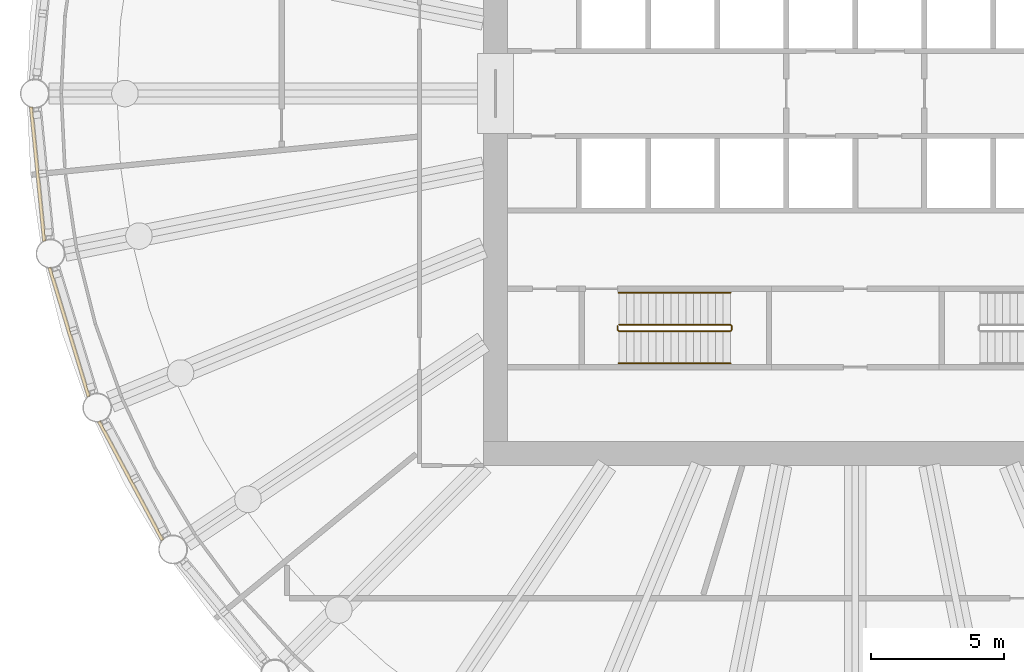
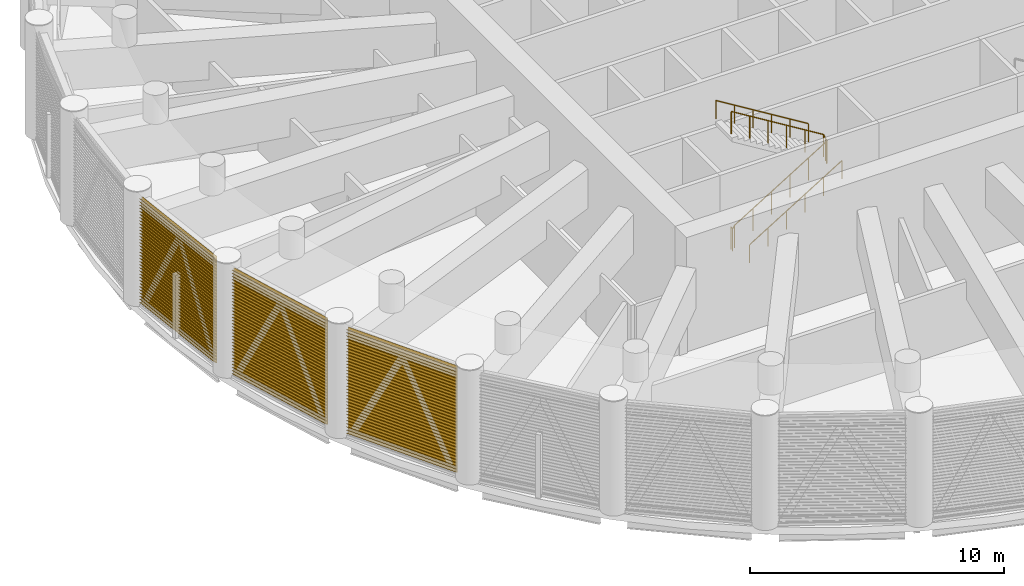
# One storey, part 17 of 23: 3 railings, 3 shading devices, 3 elements without a shape of their own.
"""IFC4 building model written with IfcOpenShell, lengths in metres."""

from ifc_helpers import new_model, si_unit, direction, frame, origin, origin_2d, place, context, subcontext, project, spatial, polyline, circle, outline, extrude, material, material_profile, profile_set, type_object, element, aggregate, save


model = new_model("IFC4")

# Units and contexts
model_context = context("Model", 3, precision=1e-05, world=origin(), true_north=direction((0.0, 1.0)))
body_context = subcontext(model_context, "Body", "Model", "MODEL_VIEW")
ifc_project = project(units=[si_unit("LENGTHUNIT", "METRE"), si_unit("AREAUNIT", "SQUARE_METRE"), si_unit("VOLUMEUNIT", "CUBIC_METRE"), si_unit("PLANEANGLEUNIT", "RADIAN"), si_unit("MASSUNIT", "GRAM", prefix="KILO")], contexts=[model_context])

# Site, building, storey
site_placement = place(None, origin())
site = spatial("IfcSite", under=ifc_project, at=site_placement, CompositionType="ELEMENT")
building_placement = place(site_placement, origin())
building = spatial("IfcBuilding", under=site, at=building_placement, Name="Corvane Civic Tower", CompositionType="ELEMENT")
storey_placement = place(building_placement, frame((0.0, 0.0, 196.0)))
storey = spatial("IfcBuildingStorey", under=building, at=storey_placement, Name="L46", CompositionType="ELEMENT", Elevation=196.0)

# Railings
ifc_material_1 = material(Name="Steel ASTM A572 Gr 50", Category="steel")
railing_type_1 = type_object("IfcRailingType", Name="ST-GUARD-1100", PredefinedType="GUARDRAIL", material=ifc_material_1)
railing_1_placement = place(storey_placement, frame((-8.949951171875, -8.75, 0.0)))
element("IfcRailing", 1, at=railing_1_placement, inside=storey, type_object=railing_type_1, Name="L46 ST3 stair guard 1", PredefinedType="GUARDRAIL", context=body_context, shape_type="SweptSolid", body=[
    extrude(circle(Radius=0.02392578125, at=origin_2d()), frame((0.0, 0.0, 1.076171875), z_axis=(0.0, -1.0, 0.0), x_axis=(1.0, 0.0, 0.0)), (0.0, 0.0, 1.0), 0.14990234375),
    extrude(circle(Radius=0.02392578125, at=origin_2d()), frame((0.0, -0.14990234375, 1.076171875), z_axis=(0.269255725606, -0.269255725606, 0.92466356501), x_axis=(0.707106781187, 0.707106781187, 0.0)), (0.0, 0.0, 1.0), 0.185791015625),
    extrude(circle(Radius=0.02392578125, at=origin_2d()), frame((0.050048828125, -0.199951171875, 1.248046875), z_axis=(0.852242915053, 0.0, 0.523146264196), x_axis=(0.0, 1.0, 0.0)), (0.0, 0.0, 1.0), 4.92822265625),
    extrude(circle(Radius=0.02392578125, at=origin_2d()), frame((4.25, -0.199951171875, 3.826171875), z_axis=(0.707106781187, 0.707106781187, 0.0), x_axis=(-0.707106781187, 0.707106781187, 0.0)), (0.0, 0.0, 1.0), 0.07080078125),
    extrude(circle(Radius=0.02392578125, at=origin_2d()), frame((4.300048828125, -0.14990234375, 3.826171875), z_axis=(0.0, 1.0, 0.0), x_axis=(-1.0, 0.0, 0.0)), (0.0, 0.0, 1.0), 0.14990234375),
    extrude(circle(Radius=0.02392578125, at=origin_2d()), frame((4.300048828125, 0.0, 3.826171875), z_axis=(-0.269255725606, 0.269255725606, 0.92466356501), x_axis=(-0.707106781187, -0.707106781187, 0.0)), (0.0, 0.0, 1.0), 0.185791015625),
    extrude(circle(Radius=0.02392578125, at=origin_2d()), frame((4.25, 0.050048828125, 3.998046875), z_axis=(-0.852242915053, 0.0, 0.523146264196), x_axis=(0.0, -1.0, 0.0)), (0.0, 0.0, 1.0), 4.92822265625),
    extrude(circle(Radius=0.02099609375, at=origin_2d()), origin(), (0.0, 0.0, 1.0), 1.052001953125),
    extrude(circle(Radius=0.02099609375, at=origin_2d()), frame((0.0, -0.14990234375, 0.0)), (0.0, 0.0, 1.0), 1.052001953125),
    extrude(circle(Radius=0.02099609375, at=origin_2d()), frame((0.050048828125, -0.199951171875, 0.171875)), (0.0, 0.0, 1.0), 1.052001953125),
    extrude(circle(Radius=0.02099609375, at=origin_2d()), frame((0.89013671875, -0.199951171875, 0.6875)), (0.0, 0.0, 1.0), 1.052001953125),
    extrude(circle(Radius=0.02099609375, at=origin_2d()), frame((1.72998046875, -0.199951171875, 1.203125)), (0.0, 0.0, 1.0), 1.052001953125),
    extrude(circle(Radius=0.02099609375, at=origin_2d()), frame((2.570068359375, -0.199951171875, 1.71875)), (0.0, 0.0, 1.0), 1.052001953125),
    extrude(circle(Radius=0.02099609375, at=origin_2d()), frame((3.409912109375, -0.199951171875, 2.234375)), (0.0, 0.0, 1.0), 1.052001953125),
    extrude(circle(Radius=0.02099609375, at=origin_2d()), frame((4.25, -0.199951171875, 2.75)), (0.0, 0.0, 1.0), 1.052001953125),
    extrude(circle(Radius=0.02099609375, at=origin_2d()), frame((4.300048828125, -0.14990234375, 2.75)), (0.0, 0.0, 1.0), 1.052001953125),
    extrude(circle(Radius=0.02099609375, at=origin_2d()), frame((4.300048828125, 0.0, 2.75)), (0.0, 0.0, 1.0), 1.052001953125),
    extrude(circle(Radius=0.02099609375, at=origin_2d()), frame((4.25, 0.050048828125, 2.921875)), (0.0, 0.0, 1.0), 1.052001953125),
    extrude(circle(Radius=0.02099609375, at=origin_2d()), frame((3.409912109375, 0.050048828125, 3.4375)), (0.0, 0.0, 1.0), 1.052001953125),
    extrude(circle(Radius=0.02099609375, at=origin_2d()), frame((2.570068359375, 0.050048828125, 3.953125)), (0.0, 0.0, 1.0), 1.052001953125),
    extrude(circle(Radius=0.02099609375, at=origin_2d()), frame((1.72998046875, 0.050048828125, 4.46875)), (0.0, 0.0, 1.0), 1.052001953125),
    extrude(circle(Radius=0.02099609375, at=origin_2d()), frame((0.89013671875, 0.050048828125, 4.984375)), (0.0, 0.0, 1.0), 1.052001953125),
    extrude(circle(Radius=0.02099609375, at=origin_2d()), frame((0.050048828125, 0.050048828125, 5.5)), (0.0, 0.0, 1.0), 1.052001953125),
])
ifc_material_2 = material(Name="Steel ASTM A572 Gr 50", Category="steel")
railing_type_2 = type_object("IfcRailingType", Name="ST-HANDRAIL-900", PredefinedType="HANDRAIL", material=ifc_material_2)
railing_2_placement = place(storey_placement, frame((-8.89990234375, -10.14990234375, 0.171875)))
element("IfcRailing", 2, at=railing_2_placement, inside=storey, type_object=railing_type_2, Name="L46 ST3 stair handrail 1", PredefinedType="HANDRAIL", context=body_context, shape_type="SweptSolid", body=[
    extrude(circle(Radius=0.02392578125, at=origin_2d()), frame((0.0, 0.0, 0.8759765625), z_axis=(0.852242915053, 0.0, 0.523146264196), x_axis=(0.0, 1.0, 0.0)), (0.0, 0.0, 1.0), 4.92822265625),
    extrude(circle(Radius=0.02099609375, at=origin_2d()), origin(), (0.0, 0.0, 1.0), 0.851806640625),
    extrude(circle(Radius=0.02099609375, at=origin_2d()), frame((0.840087890625, 0.0, 0.515625)), (0.0, 0.0, 1.0), 0.851806640625),
    extrude(circle(Radius=0.02099609375, at=origin_2d()), frame((1.679931640625, 0.0, 1.03125)), (0.0, 0.0, 1.0), 0.851806640625),
    extrude(circle(Radius=0.02099609375, at=origin_2d()), frame((2.52001953125, 0.0, 1.546875)), (0.0, 0.0, 1.0), 0.851806640625),
    extrude(circle(Radius=0.02099609375, at=origin_2d()), frame((3.35986328125, 0.0, 2.0625)), (0.0, 0.0, 1.0), 0.851806640625),
    extrude(circle(Radius=0.02099609375, at=origin_2d()), frame((4.199951171875, 0.0, 2.578125)), (0.0, 0.0, 1.0), 0.851806640625),
])
railing_3_placement = place(storey_placement, frame((-4.699951171875, -7.5, 2.921875)))
element("IfcRailing", 3, at=railing_3_placement, inside=storey, type_object=railing_type_2, Name="L46 ST3 stair handrail 2", PredefinedType="HANDRAIL", context=body_context, shape_type="SweptSolid", body=[
    extrude(circle(Radius=0.02392578125, at=origin_2d()), frame((0.0, 0.0, 0.8759765625), z_axis=(-0.852242915053, 0.0, 0.523146264196), x_axis=(0.0, -1.0, 0.0)), (0.0, 0.0, 1.0), 4.92822265625),
    extrude(circle(Radius=0.02099609375, at=origin_2d()), origin(), (0.0, 0.0, 1.0), 0.851806640625),
    extrude(circle(Radius=0.02099609375, at=origin_2d()), frame((-0.840087890625, 0.0, 0.515625)), (0.0, 0.0, 1.0), 0.851806640625),
    extrude(circle(Radius=0.02099609375, at=origin_2d()), frame((-1.679931640625, 0.0, 1.03125)), (0.0, 0.0, 1.0), 0.851806640625),
    extrude(circle(Radius=0.02099609375, at=origin_2d()), frame((-2.52001953125, 0.0, 1.546875)), (0.0, 0.0, 1.0), 0.851806640625),
    extrude(circle(Radius=0.02099609375, at=origin_2d()), frame((-3.35986328125, 0.0, 2.0625)), (0.0, 0.0, 1.0), 0.851806640625),
    extrude(circle(Radius=0.02099609375, at=origin_2d()), frame((-4.199951171875, 0.0, 2.578125)), (0.0, 0.0, 1.0), 0.851806640625),
])

# Curtain wall, shading device
ifc_material_3 = material(Name="Anodised aluminium bronze", Category="aluminium")
curtain_wall_type = type_object("IfcCurtainWallType", Name="TOWER CW-LV LOUVRE SCREEN WALL", PredefinedType="NOTDEFINED", material=ifc_material_3)
curtain_wall_1_placement = place(storey_placement, origin())
curtain_wall_1 = element("IfcCurtainWall", 4, at=curtain_wall_1_placement, inside=storey, type_object=curtain_wall_type, Name="Louvre screen wall CW-LV L46 bay 22", PredefinedType="NOTDEFINED")
ifc_material_4 = material(Name="Anodised aluminium bronze", Category="aluminium")
ifc_material_profile = material_profile(ifc_material_4, outline(polyline([(-0.06005859375, -2.56494140625), (-0.0400390625, -2.56494140625), (0.06005859375, -2.492919921875), (0.06005859375, -2.472900390625), (-0.0400390625, -2.544921875), (-0.0400390625, -2.4140625), (0.06005859375, -2.342041015625), (0.06005859375, -2.322021484375), (-0.0400390625, -2.39404296875), (-0.0400390625, -2.26318359375), (0.06005859375, -2.191162109375), (0.06005859375, -2.171142578125), (-0.0400390625, -2.2431640625), (-0.0400390625, -2.1123046875), (0.06005859375, -2.040283203125), (0.06005859375, -2.0205078125), (-0.0400390625, -2.09228515625), (-0.0400390625, -1.96142578125), (0.06005859375, -1.889404296875), (0.06005859375, -1.869384765625), (-0.0400390625, -1.94140625), (-0.0400390625, -1.810546875), (0.06005859375, -1.738525390625), (0.06005859375, -1.718505859375), (-0.0400390625, -1.79052734375), (-0.0400390625, -1.65966796875), (0.06005859375, -1.587646484375), (0.06005859375, -1.567626953125), (-0.0400390625, -1.6396484375), (-0.0400390625, -1.5087890625), (0.06005859375, -1.436767578125), (0.06005859375, -1.416748046875), (-0.0400390625, -1.48876953125), (-0.0400390625, -1.35791015625), (0.06005859375, -1.285888671875), (0.06005859375, -1.265869140625), (-0.0400390625, -1.337890625), (-0.0400390625, -1.20703125), (0.06005859375, -1.135009765625), (0.06005859375, -1.114990234375), (-0.0400390625, -1.18701171875), (-0.0400390625, -1.05615234375), (0.06005859375, -0.984130859375), (0.06005859375, -0.964111328125), (-0.0400390625, -1.0361328125), (-0.0400390625, -0.9052734375), (0.06005859375, -0.833251953125), (0.06005859375, -0.813232421875), (-0.0400390625, -0.88525390625), (-0.0400390625, -0.75439453125), (0.06005859375, -0.682373046875), (0.06005859375, -0.662353515625), (-0.0400390625, -0.734375), (-0.0400390625, -0.603515625), (0.06005859375, -0.531494140625), (0.06005859375, -0.511474609375), (-0.0400390625, -0.58349609375), (-0.0400390625, -0.45263671875), (0.06005859375, -0.380615234375), (0.06005859375, -0.360595703125), (-0.0400390625, -0.4326171875), (-0.0400390625, -0.3017578125), (0.06005859375, -0.229736328125), (0.06005859375, -0.209716796875), (-0.0400390625, -0.28173828125), (-0.0400390625, -0.15087890625), (0.06005859375, -0.078857421875), (0.06005859375, -0.058837890625), (-0.0400390625, -0.130859375), (-0.0400390625, 0.0), (0.06005859375, 0.072021484375), (0.06005859375, 0.092041015625), (-0.0400390625, 0.02001953125), (-0.0400390625, 0.15087890625), (0.06005859375, 0.222900390625), (0.06005859375, 0.242919921875), (-0.0400390625, 0.1708984375), (-0.0400390625, 0.3017578125), (0.06005859375, 0.373779296875), (0.06005859375, 0.393798828125), (-0.0400390625, 0.32177734375), (-0.0400390625, 0.45263671875), (0.06005859375, 0.524658203125), (0.06005859375, 0.544677734375), (-0.0400390625, 0.47265625), (-0.0400390625, 0.603515625), (0.06005859375, 0.675537109375), (0.06005859375, 0.695556640625), (-0.0400390625, 0.62353515625), (-0.0400390625, 0.75439453125), (0.06005859375, 0.826416015625), (0.06005859375, 0.846435546875), (-0.0400390625, 0.7744140625), (-0.0400390625, 0.9052734375), (0.06005859375, 0.977294921875), (0.06005859375, 0.997314453125), (-0.0400390625, 0.92529296875), (-0.0400390625, 1.05615234375), (0.06005859375, 1.128173828125), (0.06005859375, 1.148193359375), (-0.0400390625, 1.076171875), (-0.0400390625, 1.20703125), (0.06005859375, 1.279052734375), (0.06005859375, 1.299072265625), (-0.0400390625, 1.22705078125), (-0.0400390625, 1.35791015625), (0.06005859375, 1.429931640625), (0.06005859375, 1.449951171875), (-0.0400390625, 1.3779296875), (-0.0400390625, 1.5087890625), (0.06005859375, 1.580810546875), (0.06005859375, 1.600830078125), (-0.0400390625, 1.52880859375), (-0.0400390625, 1.65966796875), (0.06005859375, 1.731689453125), (0.06005859375, 1.751708984375), (-0.0400390625, 1.6796875), (-0.0400390625, 1.810546875), (0.06005859375, 1.882568359375), (0.06005859375, 1.902587890625), (-0.0400390625, 1.83056640625), (-0.0400390625, 1.96142578125), (0.06005859375, 2.033447265625), (0.06005859375, 2.053466796875), (-0.0400390625, 1.9814453125), (-0.0400390625, 2.1123046875), (0.06005859375, 2.184326171875), (0.06005859375, 2.204345703125), (-0.0400390625, 2.13232421875), (-0.0400390625, 2.26318359375), (0.06005859375, 2.335205078125), (0.06005859375, 2.355224609375), (-0.0400390625, 2.283203125), (-0.0400390625, 2.4140625), (0.06005859375, 2.486083984375), (0.06005859375, 2.506103515625), (-0.0400390625, 2.43408203125), (-0.0400390625, 2.56494140625), (-0.06005859375, 2.56494140625), (-0.06005859375, -2.56494140625)])), Name="TOWER LOUVRE BANK 5130 BRONZE")
ifc_profile_set = profile_set([ifc_material_profile], Name="Anodised aluminium bronze")
shading_device_type = type_object("IfcShadingDeviceType", Name="TOWER LOUVRE BANK 5130 BRONZE", PredefinedType="USERDEFINED", material=ifc_profile_set)
shading_device_1_placement = place(storey_placement, frame((-26.081298828125, -16.819580078125, 2.68505859375), z_axis=(-0.471396615074, 0.881921329426, 0.0), x_axis=(-0.881921329426, -0.471396615074, 0.0)))
shading_device_1 = element("IfcShadingDevice", 5, at=shading_device_1_placement, type_object=shading_device_type, Name="Louvre bank L46 22.1", ObjectType="LOUVRE", PredefinedType="USERDEFINED", context=body_context, shape_type="SweptSolid", body=[
    extrude(outline(polyline([(-0.06005859375, -2.56494140625), (-0.0400390625, -2.56494140625), (0.06005859375, -2.492919921875), (0.06005859375, -2.472900390625), (-0.0400390625, -2.544921875), (-0.0400390625, -2.4140625), (0.06005859375, -2.342041015625), (0.06005859375, -2.322021484375), (-0.0400390625, -2.39404296875), (-0.0400390625, -2.26318359375), (0.06005859375, -2.191162109375), (0.06005859375, -2.171142578125), (-0.0400390625, -2.2431640625), (-0.0400390625, -2.1123046875), (0.06005859375, -2.040283203125), (0.06005859375, -2.0205078125), (-0.0400390625, -2.09228515625), (-0.0400390625, -1.96142578125), (0.06005859375, -1.889404296875), (0.06005859375, -1.869384765625), (-0.0400390625, -1.94140625), (-0.0400390625, -1.810546875), (0.06005859375, -1.738525390625), (0.06005859375, -1.718505859375), (-0.0400390625, -1.79052734375), (-0.0400390625, -1.65966796875), (0.06005859375, -1.587646484375), (0.06005859375, -1.567626953125), (-0.0400390625, -1.6396484375), (-0.0400390625, -1.5087890625), (0.06005859375, -1.436767578125), (0.06005859375, -1.416748046875), (-0.0400390625, -1.48876953125), (-0.0400390625, -1.35791015625), (0.06005859375, -1.285888671875), (0.06005859375, -1.265869140625), (-0.0400390625, -1.337890625), (-0.0400390625, -1.20703125), (0.06005859375, -1.135009765625), (0.06005859375, -1.114990234375), (-0.0400390625, -1.18701171875), (-0.0400390625, -1.05615234375), (0.06005859375, -0.984130859375), (0.06005859375, -0.964111328125), (-0.0400390625, -1.0361328125), (-0.0400390625, -0.9052734375), (0.06005859375, -0.833251953125), (0.06005859375, -0.813232421875), (-0.0400390625, -0.88525390625), (-0.0400390625, -0.75439453125), (0.06005859375, -0.682373046875), (0.06005859375, -0.662353515625), (-0.0400390625, -0.734375), (-0.0400390625, -0.603515625), (0.06005859375, -0.531494140625), (0.06005859375, -0.511474609375), (-0.0400390625, -0.58349609375), (-0.0400390625, -0.45263671875), (0.06005859375, -0.380615234375), (0.06005859375, -0.360595703125), (-0.0400390625, -0.4326171875), (-0.0400390625, -0.3017578125), (0.06005859375, -0.229736328125), (0.06005859375, -0.209716796875), (-0.0400390625, -0.28173828125), (-0.0400390625, -0.15087890625), (0.06005859375, -0.078857421875), (0.06005859375, -0.058837890625), (-0.0400390625, -0.130859375), (-0.0400390625, 0.0), (0.06005859375, 0.072021484375), (0.06005859375, 0.092041015625), (-0.0400390625, 0.02001953125), (-0.0400390625, 0.15087890625), (0.06005859375, 0.222900390625), (0.06005859375, 0.242919921875), (-0.0400390625, 0.1708984375), (-0.0400390625, 0.3017578125), (0.06005859375, 0.373779296875), (0.06005859375, 0.393798828125), (-0.0400390625, 0.32177734375), (-0.0400390625, 0.45263671875), (0.06005859375, 0.524658203125), (0.06005859375, 0.544677734375), (-0.0400390625, 0.47265625), (-0.0400390625, 0.603515625), (0.06005859375, 0.675537109375), (0.06005859375, 0.695556640625), (-0.0400390625, 0.62353515625), (-0.0400390625, 0.75439453125), (0.06005859375, 0.826416015625), (0.06005859375, 0.846435546875), (-0.0400390625, 0.7744140625), (-0.0400390625, 0.9052734375), (0.06005859375, 0.977294921875), (0.06005859375, 0.997314453125), (-0.0400390625, 0.92529296875), (-0.0400390625, 1.05615234375), (0.06005859375, 1.128173828125), (0.06005859375, 1.148193359375), (-0.0400390625, 1.076171875), (-0.0400390625, 1.20703125), (0.06005859375, 1.279052734375), (0.06005859375, 1.299072265625), (-0.0400390625, 1.22705078125), (-0.0400390625, 1.35791015625), (0.06005859375, 1.429931640625), (0.06005859375, 1.449951171875), (-0.0400390625, 1.3779296875), (-0.0400390625, 1.5087890625), (0.06005859375, 1.580810546875), (0.06005859375, 1.600830078125), (-0.0400390625, 1.52880859375), (-0.0400390625, 1.65966796875), (0.06005859375, 1.731689453125), (0.06005859375, 1.751708984375), (-0.0400390625, 1.6796875), (-0.0400390625, 1.810546875), (0.06005859375, 1.882568359375), (0.06005859375, 1.902587890625), (-0.0400390625, 1.83056640625), (-0.0400390625, 1.96142578125), (0.06005859375, 2.033447265625), (0.06005859375, 2.053466796875), (-0.0400390625, 1.9814453125), (-0.0400390625, 2.1123046875), (0.06005859375, 2.184326171875), (0.06005859375, 2.204345703125), (-0.0400390625, 2.13232421875), (-0.0400390625, 2.26318359375), (0.06005859375, 2.335205078125), (0.06005859375, 2.355224609375), (-0.0400390625, 2.283203125), (-0.0400390625, 2.4140625), (0.06005859375, 2.486083984375), (0.06005859375, 2.506103515625), (-0.0400390625, 2.43408203125), (-0.0400390625, 2.56494140625), (-0.06005859375, 2.56494140625), (-0.06005859375, -2.56494140625)])), origin(), (0.0, 0.0, 1.0), 5.07763671875),
])
aggregate(curtain_wall_1, [shading_device_1])

curtain_wall_2_placement = place(storey_placement, origin())
curtain_wall_2 = element("IfcCurtainWall", 6, at=curtain_wall_2_placement, inside=storey, type_object=curtain_wall_type, Name="Louvre screen wall CW-LV L46 bay 23", PredefinedType="NOTDEFINED")
shading_device_2_placement = place(storey_placement, frame((-28.861572265625, -11.407958984375, 2.68505859375), z_axis=(-0.290288977061, 0.956939031389, 0.0), x_axis=(-0.956939031389, -0.290288977061, 0.0)))
shading_device_2 = element("IfcShadingDevice", 7, at=shading_device_2_placement, type_object=shading_device_type, Name="Louvre bank L46 23.1", ObjectType="LOUVRE", PredefinedType="USERDEFINED", context=body_context, shape_type="SweptSolid", body=[
    extrude(outline(polyline([(-0.06005859375, -2.56494140625), (-0.0400390625, -2.56494140625), (0.06005859375, -2.492919921875), (0.06005859375, -2.472900390625), (-0.0400390625, -2.544921875), (-0.0400390625, -2.4140625), (0.06005859375, -2.342041015625), (0.06005859375, -2.322021484375), (-0.0400390625, -2.39404296875), (-0.0400390625, -2.26318359375), (0.06005859375, -2.191162109375), (0.06005859375, -2.171142578125), (-0.0400390625, -2.2431640625), (-0.0400390625, -2.1123046875), (0.06005859375, -2.040283203125), (0.06005859375, -2.0205078125), (-0.0400390625, -2.09228515625), (-0.0400390625, -1.96142578125), (0.06005859375, -1.889404296875), (0.06005859375, -1.869384765625), (-0.0400390625, -1.94140625), (-0.0400390625, -1.810546875), (0.06005859375, -1.738525390625), (0.06005859375, -1.718505859375), (-0.0400390625, -1.79052734375), (-0.0400390625, -1.65966796875), (0.06005859375, -1.587646484375), (0.06005859375, -1.567626953125), (-0.0400390625, -1.6396484375), (-0.0400390625, -1.5087890625), (0.06005859375, -1.436767578125), (0.06005859375, -1.416748046875), (-0.0400390625, -1.48876953125), (-0.0400390625, -1.35791015625), (0.06005859375, -1.285888671875), (0.06005859375, -1.265869140625), (-0.0400390625, -1.337890625), (-0.0400390625, -1.20703125), (0.06005859375, -1.135009765625), (0.06005859375, -1.114990234375), (-0.0400390625, -1.18701171875), (-0.0400390625, -1.05615234375), (0.06005859375, -0.984130859375), (0.06005859375, -0.964111328125), (-0.0400390625, -1.0361328125), (-0.0400390625, -0.9052734375), (0.06005859375, -0.833251953125), (0.06005859375, -0.813232421875), (-0.0400390625, -0.88525390625), (-0.0400390625, -0.75439453125), (0.06005859375, -0.682373046875), (0.06005859375, -0.662353515625), (-0.0400390625, -0.734375), (-0.0400390625, -0.603515625), (0.06005859375, -0.531494140625), (0.06005859375, -0.511474609375), (-0.0400390625, -0.58349609375), (-0.0400390625, -0.45263671875), (0.06005859375, -0.380615234375), (0.06005859375, -0.360595703125), (-0.0400390625, -0.4326171875), (-0.0400390625, -0.3017578125), (0.06005859375, -0.229736328125), (0.06005859375, -0.209716796875), (-0.0400390625, -0.28173828125), (-0.0400390625, -0.15087890625), (0.06005859375, -0.078857421875), (0.06005859375, -0.058837890625), (-0.0400390625, -0.130859375), (-0.0400390625, 0.0), (0.06005859375, 0.072021484375), (0.06005859375, 0.092041015625), (-0.0400390625, 0.02001953125), (-0.0400390625, 0.15087890625), (0.06005859375, 0.222900390625), (0.06005859375, 0.242919921875), (-0.0400390625, 0.1708984375), (-0.0400390625, 0.3017578125), (0.06005859375, 0.373779296875), (0.06005859375, 0.393798828125), (-0.0400390625, 0.32177734375), (-0.0400390625, 0.45263671875), (0.06005859375, 0.524658203125), (0.06005859375, 0.544677734375), (-0.0400390625, 0.47265625), (-0.0400390625, 0.603515625), (0.06005859375, 0.675537109375), (0.06005859375, 0.695556640625), (-0.0400390625, 0.62353515625), (-0.0400390625, 0.75439453125), (0.06005859375, 0.826416015625), (0.06005859375, 0.846435546875), (-0.0400390625, 0.7744140625), (-0.0400390625, 0.9052734375), (0.06005859375, 0.977294921875), (0.06005859375, 0.997314453125), (-0.0400390625, 0.92529296875), (-0.0400390625, 1.05615234375), (0.06005859375, 1.128173828125), (0.06005859375, 1.148193359375), (-0.0400390625, 1.076171875), (-0.0400390625, 1.20703125), (0.06005859375, 1.279052734375), (0.06005859375, 1.299072265625), (-0.0400390625, 1.22705078125), (-0.0400390625, 1.35791015625), (0.06005859375, 1.429931640625), (0.06005859375, 1.449951171875), (-0.0400390625, 1.3779296875), (-0.0400390625, 1.5087890625), (0.06005859375, 1.580810546875), (0.06005859375, 1.600830078125), (-0.0400390625, 1.52880859375), (-0.0400390625, 1.65966796875), (0.06005859375, 1.731689453125), (0.06005859375, 1.751708984375), (-0.0400390625, 1.6796875), (-0.0400390625, 1.810546875), (0.06005859375, 1.882568359375), (0.06005859375, 1.902587890625), (-0.0400390625, 1.83056640625), (-0.0400390625, 1.96142578125), (0.06005859375, 2.033447265625), (0.06005859375, 2.053466796875), (-0.0400390625, 1.9814453125), (-0.0400390625, 2.1123046875), (0.06005859375, 2.184326171875), (0.06005859375, 2.204345703125), (-0.0400390625, 2.13232421875), (-0.0400390625, 2.26318359375), (0.06005859375, 2.335205078125), (0.06005859375, 2.355224609375), (-0.0400390625, 2.283203125), (-0.0400390625, 2.4140625), (0.06005859375, 2.486083984375), (0.06005859375, 2.506103515625), (-0.0400390625, 2.43408203125), (-0.0400390625, 2.56494140625), (-0.06005859375, 2.56494140625), (-0.06005859375, -2.56494140625)])), origin(), (0.0, 0.0, 1.0), 5.077392578125),
])
aggregate(curtain_wall_2, [shading_device_2])

curtain_wall_3_placement = place(storey_placement, origin())
curtain_wall_3 = element("IfcCurtainWall", 8, at=curtain_wall_3_placement, inside=storey, type_object=curtain_wall_type, Name="Louvre screen wall CW-LV L46 bay 24", PredefinedType="NOTDEFINED")
shading_device_3_placement = place(storey_placement, frame((-30.53271484375, -5.558349609375, 2.68505859375), z_axis=(-0.097989755963, 0.995187423416, 0.0), x_axis=(-0.995187423416, -0.097989755963, 0.0)))
shading_device_3 = element("IfcShadingDevice", 9, at=shading_device_3_placement, type_object=shading_device_type, Name="Louvre bank L46 24.1", ObjectType="LOUVRE", PredefinedType="USERDEFINED", context=body_context, shape_type="SweptSolid", body=[
    extrude(outline(polyline([(-0.06005859375, -2.56494140625), (-0.0400390625, -2.56494140625), (0.06005859375, -2.492919921875), (0.06005859375, -2.472900390625), (-0.0400390625, -2.544921875), (-0.0400390625, -2.4140625), (0.06005859375, -2.342041015625), (0.06005859375, -2.322021484375), (-0.0400390625, -2.39404296875), (-0.0400390625, -2.26318359375), (0.06005859375, -2.191162109375), (0.06005859375, -2.171142578125), (-0.0400390625, -2.2431640625), (-0.0400390625, -2.1123046875), (0.06005859375, -2.040283203125), (0.06005859375, -2.0205078125), (-0.0400390625, -2.09228515625), (-0.0400390625, -1.96142578125), (0.06005859375, -1.889404296875), (0.06005859375, -1.869384765625), (-0.0400390625, -1.94140625), (-0.0400390625, -1.810546875), (0.06005859375, -1.738525390625), (0.06005859375, -1.718505859375), (-0.0400390625, -1.79052734375), (-0.0400390625, -1.65966796875), (0.06005859375, -1.587646484375), (0.06005859375, -1.567626953125), (-0.0400390625, -1.6396484375), (-0.0400390625, -1.5087890625), (0.06005859375, -1.436767578125), (0.06005859375, -1.416748046875), (-0.0400390625, -1.48876953125), (-0.0400390625, -1.35791015625), (0.06005859375, -1.285888671875), (0.06005859375, -1.265869140625), (-0.0400390625, -1.337890625), (-0.0400390625, -1.20703125), (0.06005859375, -1.135009765625), (0.06005859375, -1.114990234375), (-0.0400390625, -1.18701171875), (-0.0400390625, -1.05615234375), (0.06005859375, -0.984130859375), (0.06005859375, -0.964111328125), (-0.0400390625, -1.0361328125), (-0.0400390625, -0.9052734375), (0.06005859375, -0.833251953125), (0.06005859375, -0.813232421875), (-0.0400390625, -0.88525390625), (-0.0400390625, -0.75439453125), (0.06005859375, -0.682373046875), (0.06005859375, -0.662353515625), (-0.0400390625, -0.734375), (-0.0400390625, -0.603515625), (0.06005859375, -0.531494140625), (0.06005859375, -0.511474609375), (-0.0400390625, -0.58349609375), (-0.0400390625, -0.45263671875), (0.06005859375, -0.380615234375), (0.06005859375, -0.360595703125), (-0.0400390625, -0.4326171875), (-0.0400390625, -0.3017578125), (0.06005859375, -0.229736328125), (0.06005859375, -0.209716796875), (-0.0400390625, -0.28173828125), (-0.0400390625, -0.15087890625), (0.06005859375, -0.078857421875), (0.06005859375, -0.058837890625), (-0.0400390625, -0.130859375), (-0.0400390625, 0.0), (0.06005859375, 0.072021484375), (0.06005859375, 0.092041015625), (-0.0400390625, 0.02001953125), (-0.0400390625, 0.15087890625), (0.06005859375, 0.222900390625), (0.06005859375, 0.242919921875), (-0.0400390625, 0.1708984375), (-0.0400390625, 0.3017578125), (0.06005859375, 0.373779296875), (0.06005859375, 0.393798828125), (-0.0400390625, 0.32177734375), (-0.0400390625, 0.45263671875), (0.06005859375, 0.524658203125), (0.06005859375, 0.544677734375), (-0.0400390625, 0.47265625), (-0.0400390625, 0.603515625), (0.06005859375, 0.675537109375), (0.06005859375, 0.695556640625), (-0.0400390625, 0.62353515625), (-0.0400390625, 0.75439453125), (0.06005859375, 0.826416015625), (0.06005859375, 0.846435546875), (-0.0400390625, 0.7744140625), (-0.0400390625, 0.9052734375), (0.06005859375, 0.977294921875), (0.06005859375, 0.997314453125), (-0.0400390625, 0.92529296875), (-0.0400390625, 1.05615234375), (0.06005859375, 1.128173828125), (0.06005859375, 1.148193359375), (-0.0400390625, 1.076171875), (-0.0400390625, 1.20703125), (0.06005859375, 1.279052734375), (0.06005859375, 1.299072265625), (-0.0400390625, 1.22705078125), (-0.0400390625, 1.35791015625), (0.06005859375, 1.429931640625), (0.06005859375, 1.449951171875), (-0.0400390625, 1.3779296875), (-0.0400390625, 1.5087890625), (0.06005859375, 1.580810546875), (0.06005859375, 1.600830078125), (-0.0400390625, 1.52880859375), (-0.0400390625, 1.65966796875), (0.06005859375, 1.731689453125), (0.06005859375, 1.751708984375), (-0.0400390625, 1.6796875), (-0.0400390625, 1.810546875), (0.06005859375, 1.882568359375), (0.06005859375, 1.902587890625), (-0.0400390625, 1.83056640625), (-0.0400390625, 1.96142578125), (0.06005859375, 2.033447265625), (0.06005859375, 2.053466796875), (-0.0400390625, 1.9814453125), (-0.0400390625, 2.1123046875), (0.06005859375, 2.184326171875), (0.06005859375, 2.204345703125), (-0.0400390625, 2.13232421875), (-0.0400390625, 2.26318359375), (0.06005859375, 2.335205078125), (0.06005859375, 2.355224609375), (-0.0400390625, 2.283203125), (-0.0400390625, 2.4140625), (0.06005859375, 2.486083984375), (0.06005859375, 2.506103515625), (-0.0400390625, 2.43408203125), (-0.0400390625, 2.56494140625), (-0.06005859375, 2.56494140625), (-0.06005859375, -2.56494140625)])), origin(), (0.0, 0.0, 1.0), 5.07763671875),
])
aggregate(curtain_wall_3, [shading_device_3])

save(model, "model.ifc")
